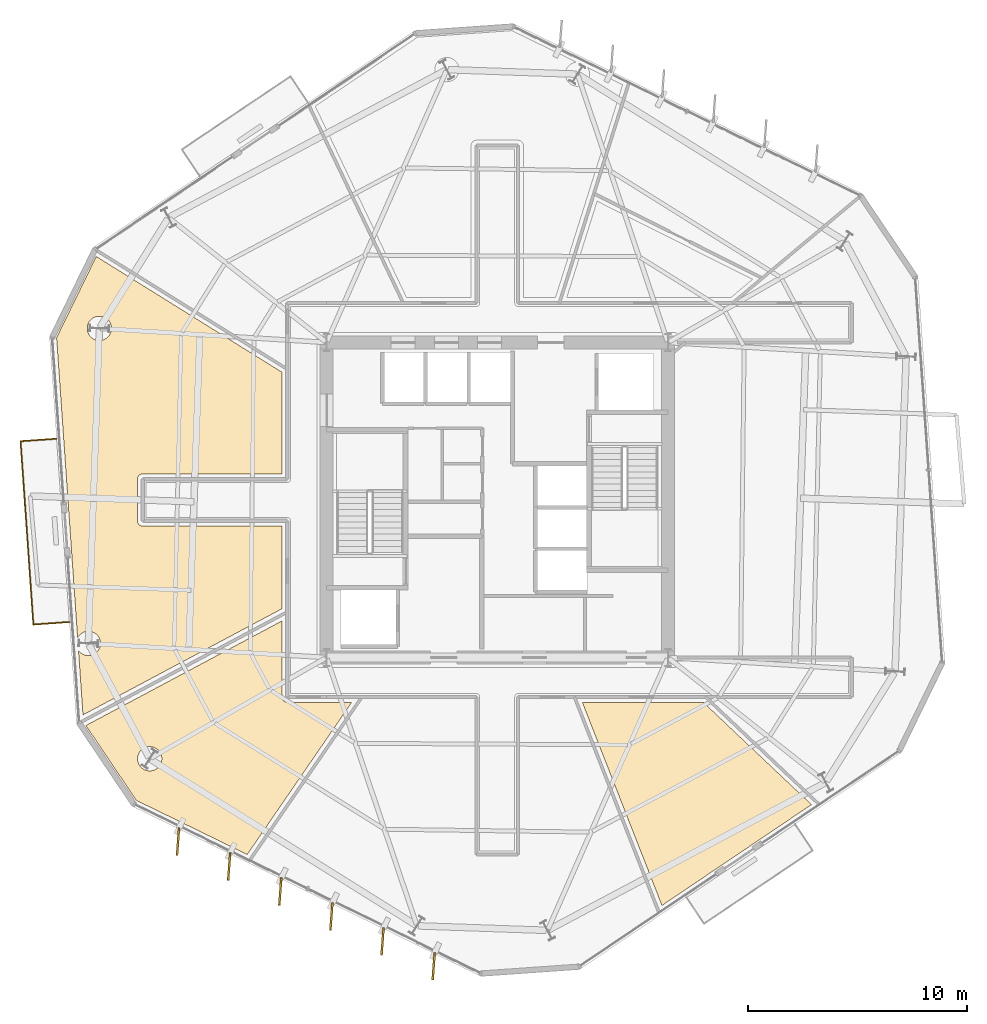
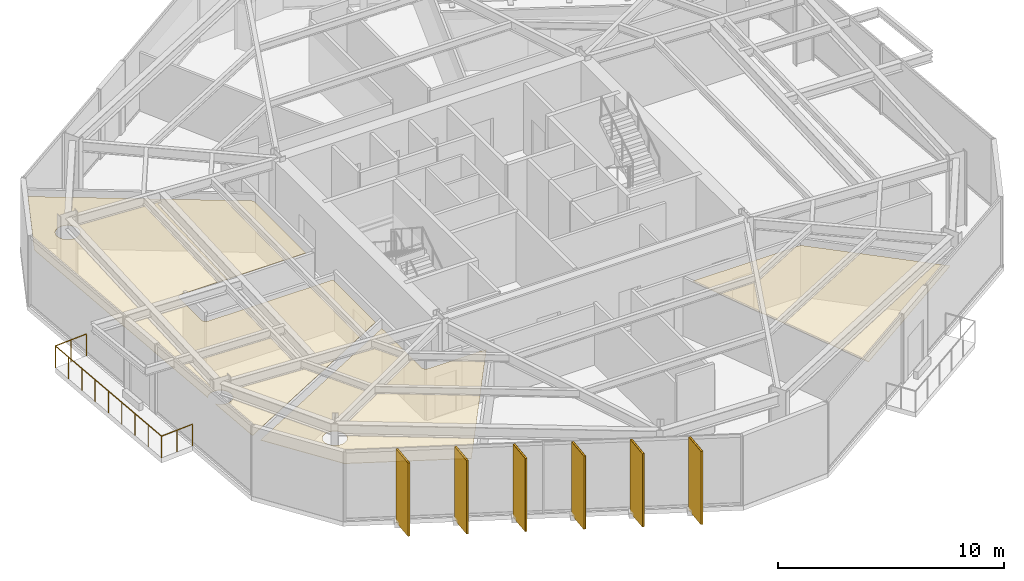
# One storey, part 10 of 14: 9 coverings, 6 shading devices, 1 railing.
"""IFC4 building model written with IfcOpenShell, lengths in metres."""

from ifc_helpers import new_model, si_unit, direction, frame, origin, origin_2d, place, context, subcontext, project, spatial, polyline, rectangle, circle, outline, extrude, material, layer, layer_set, type_object, element, save


model = new_model("IFC4")

# Units and contexts
model_context = context("Model", 3, precision=1e-05, world=origin(), true_north=direction((0.0, 1.0)))
body_context = subcontext(model_context, "Body", "Model", "MODEL_VIEW")
ifc_project = project(units=[si_unit("LENGTHUNIT", "METRE"), si_unit("AREAUNIT", "SQUARE_METRE"), si_unit("VOLUMEUNIT", "CUBIC_METRE"), si_unit("PLANEANGLEUNIT", "RADIAN"), si_unit("MASSUNIT", "GRAM", prefix="KILO")], contexts=[model_context])

# Site, building, storey
site_placement = place(None, origin())
site = spatial("IfcSite", under=ifc_project, at=site_placement, CompositionType="ELEMENT")
building_placement = place(site_placement, origin())
building = spatial("IfcBuilding", under=site, at=building_placement, Name="Kranzbogen Civic Tower", CompositionType="ELEMENT")
storey_placement = place(building_placement, frame((0.0, 0.0, 158.39990234375)))
storey = spatial("IfcBuildingStorey", under=building, at=storey_placement, Name="L38", CompositionType="ELEMENT", Elevation=158.39990234375)

# Coverings
ifc_material_1 = material(Name="Pale Anodised Aluminium", Category="aluminium")
ifc_layer_1 = layer(ifc_material_1, 0.02490234375, Name="Pale Anodised Aluminium")
ifc_layer_set_1 = layer_set([ifc_layer_1], Name="Pale Anodised Aluminium")
covering_type_1 = type_object("IfcCoveringType", Name="Anodised Aluminium Vertical Fin Cladding 25 mm", PredefinedType="CLADDING", material=ifc_layer_set_1)
for number, where, z_axis, x_axis, name in (
    (1, (10.408935546875, 9.385009765625, -0.139892578125), (0.0, 0.0, 1.0), (-0.074996130979, -0.997183824748, 0.0), "L38 vertical fin pale-metal cladding F4-1"),
    (2, (12.74609375, 8.2451171875, -0.139892578125), (0.0, 0.0, 1.0), (-0.074996130979, -0.997183824748, 0.0), "L38 vertical fin pale-metal cladding F4-2"),
    (3, (15.0830078125, 7.10595703125, -0.139892578125), (0.0, 0.0, 1.0), (-0.074996130979, -0.997183824748, 0.0), "L38 vertical fin pale-metal cladding F4-3"),
    (4, (17.419921875, 5.966064453125, -0.139892578125), (0.0, 0.0, 1.0), (-0.074996130979, -0.997183824748, 0.0), "L38 vertical fin pale-metal cladding F4-4"),
    (5, (19.757080078125, 4.825927734375, -0.139892578125), (0.0, 0.0, 1.0), (-0.074996130979, -0.997183824748, 0.0), "L38 vertical fin pale-metal cladding F4-5"),
    (6, (22.093994140625, 3.68603515625, -0.139892578125), (0.0, 0.0, 1.0), (-0.074996130979, -0.997183824748, 0.0), "L38 vertical fin pale-metal cladding F4-6"),
):
    element("IfcCovering", number, at=place(storey_placement, frame(where, z_axis=z_axis, x_axis=x_axis)), inside=storey, type_object=covering_type_1, Name=name, PredefinedType="CLADDING", context=body_context, shape_type="SweptSolid", body=[
        extrude(rectangle(XDim=1.25, YDim=0.10009765625, at=origin_2d()), origin(), (0.0, 0.0, 1.0), 3.9599609375),
    ])

# Shading devices
ifc_material_2 = material(Name="Anodised Bronze Aluminium", Category="aluminium")
shading_device_type = type_object("IfcShadingDeviceType", Name="Anodised Bronze Vertical Facade Fin 1250x80", PredefinedType="USERDEFINED", material=ifc_material_2)
for number, where, z_axis, x_axis, name in (
    (7, (10.408935546875, 9.385009765625, -0.139892578125), (0.0, 0.0, 1.0), (-0.074996130979, -0.997183824748, 0.0), "L38 vertical exterior shading fin F4-1"),
    (8, (12.74609375, 8.2451171875, -0.139892578125), (0.0, 0.0, 1.0), (-0.074996130979, -0.997183824748, 0.0), "L38 vertical exterior shading fin F4-2"),
    (9, (15.0830078125, 7.10595703125, -0.139892578125), (0.0, 0.0, 1.0), (-0.074996130979, -0.997183824748, 0.0), "L38 vertical exterior shading fin F4-3"),
    (10, (17.419921875, 5.966064453125, -0.139892578125), (0.0, 0.0, 1.0), (-0.074996130979, -0.997183824748, 0.0), "L38 vertical exterior shading fin F4-4"),
    (11, (19.757080078125, 4.825927734375, -0.139892578125), (0.0, 0.0, 1.0), (-0.074996130979, -0.997183824748, 0.0), "L38 vertical exterior shading fin F4-5"),
    (12, (22.093994140625, 3.68603515625, -0.139892578125), (0.0, 0.0, 1.0), (-0.074996130979, -0.997183824748, 0.0), "L38 vertical exterior shading fin F4-6"),
):
    element("IfcShadingDevice", number, at=place(storey_placement, frame(where, z_axis=z_axis, x_axis=x_axis)), inside=storey, type_object=shading_device_type, Name=name, ObjectType="FIN", PredefinedType="USERDEFINED", context=body_context, shape_type="SweptSolid", body=[
        extrude(rectangle(XDim=1.25, YDim=0.080078125, at=origin_2d()), origin(), (0.0, 0.0, 1.0), 3.9599609375),
    ])

# Railing
railing_type = type_object("IfcRailingType", Name="Cantilevered Balcony Glass and Bronze Balustrade 1200", PredefinedType="BALUSTRADE", material=ifc_material_2)
railing_placement = place(storey_placement, frame((4.85498046875, 27.802001953125, 0.0)))
element("IfcRailing", 13, at=railing_placement, inside=storey, type_object=railing_type, Name="L38 exterior terrace balustrade L38-ST", PredefinedType="BALUSTRADE", context=body_context, shape_type="SweptSolid", body=[
    extrude(circle(Radius=0.02392578125, at=origin_2d()), frame((0.0, 0.0, 1.17578125), z_axis=(-0.997568646052, -0.069690719711, 0.0), x_axis=(0.069690719711, -0.997568646052, 0.0)), (0.0, 0.0, 1.0), 1.64990234375),
    extrude(circle(Radius=0.02392578125, at=origin_2d()), frame((-1.64599609375, -0.114990234375, 1.17578125), z_axis=(0.069749595772, -0.997564531191, 0.0), x_axis=(0.997564531191, 0.069749595772, 0.0)), (0.0, 0.0, 1.0), 8.400634765625),
    extrude(circle(Radius=0.02392578125, at=origin_2d()), frame((-1.06005859375, -8.4951171875, 1.17578125), z_axis=(0.997558348693, 0.069837962116, 0.0), x_axis=(-0.069837962116, 0.997558348693, 0.0)), (0.0, 0.0, 1.0), 1.650146484375),
    extrude(circle(Radius=0.02099609375, at=origin_2d()), origin(), (0.0, 0.0, 1.0), 1.15185546875),
    extrude(circle(Radius=0.02099609375, at=origin_2d()), frame((-0.822998046875, -0.0576171875, 0.0)), (0.0, 0.0, 1.0), 1.15185546875),
    extrude(circle(Radius=0.02099609375, at=origin_2d()), frame((-1.64599609375, -0.114990234375, 0.0)), (0.0, 0.0, 1.0), 1.15185546875),
    extrude(circle(Radius=0.02099609375, at=origin_2d()), frame((-1.57275390625, -1.16259765625, 0.0)), (0.0, 0.0, 1.0), 1.15185546875),
    extrude(circle(Radius=0.02099609375, at=origin_2d()), frame((-1.49951171875, -2.2099609375, 0.0)), (0.0, 0.0, 1.0), 1.15185546875),
    extrude(circle(Radius=0.02099609375, at=origin_2d()), frame((-1.42626953125, -3.257568359375, 0.0)), (0.0, 0.0, 1.0), 1.15185546875),
    extrude(circle(Radius=0.02099609375, at=origin_2d()), frame((-1.35302734375, -4.30517578125, 0.0)), (0.0, 0.0, 1.0), 1.15185546875),
    extrude(circle(Radius=0.02099609375, at=origin_2d()), frame((-1.27978515625, -5.3525390625, 0.0)), (0.0, 0.0, 1.0), 1.15185546875),
    extrude(circle(Radius=0.02099609375, at=origin_2d()), frame((-1.20654296875, -6.400146484375, 0.0)), (0.0, 0.0, 1.0), 1.15185546875),
    extrude(circle(Radius=0.02099609375, at=origin_2d()), frame((-1.13330078125, -7.447509765625, 0.0)), (0.0, 0.0, 1.0), 1.15185546875),
    extrude(circle(Radius=0.02099609375, at=origin_2d()), frame((-1.06005859375, -8.4951171875, 0.0)), (0.0, 0.0, 1.0), 1.15185546875),
    extrude(circle(Radius=0.02099609375, at=origin_2d()), frame((-0.237060546875, -8.4375, 0.0)), (0.0, 0.0, 1.0), 1.15185546875),
    extrude(circle(Radius=0.02099609375, at=origin_2d()), frame((0.5859375, -8.3798828125, 0.0)), (0.0, 0.0, 1.0), 1.15185546875),
])

# Coverings
ifc_material_3 = material(Name="Perforated Acoustic Gypsum Ceiling")
ifc_layer_2 = layer(ifc_material_3, 0.02490234375, Name="Perforated Acoustic Gypsum Ceiling")
ifc_layer_set_2 = layer_set([ifc_layer_2], Name="Perforated Acoustic Gypsum Ceiling")
covering_type_2 = type_object("IfcCoveringType", Name="Perforated Acoustic Mineral Ceiling Tile 25 mm", PredefinedType="CEILING", material=ifc_layer_set_2)
covering_1_placement = place(storey_placement, frame((0.0, 0.0, 2.900146484375)))
element("IfcCovering", 14, at=covering_1_placement, inside=storey, type_object=covering_type_2, Name="L38 Executive Briefing Conference Room acoustic ceiling", PredefinedType="CEILING", context=body_context, shape_type="SweptSolid", body=[
    extrude(outline(polyline([(6.195068359375, 14.69189453125), (15.155029296875, 19.470947265625), (15.155029296875, 16.0), (15.155029296875, 15.990966796875), (15.156005859375, 15.985107421875), (15.156982421875, 15.967041015625), (15.157958984375, 15.9609375), (15.162109375, 15.944091796875), (15.1630859375, 15.93701171875), (15.16796875, 15.919921875), (15.169921875, 15.9140625), (15.177001953125, 15.89794921875), (15.179931640625, 15.89208984375), (15.18798828125, 15.876953125), (15.19189453125, 15.87109375), (15.200927734375, 15.85693359375), (15.205078125, 15.85205078125), (15.216064453125, 15.837890625), (15.220947265625, 15.8330078125), (15.23291015625, 15.821044921875), (15.238037109375, 15.81591796875), (15.251953125, 15.804931640625), (15.257080078125, 15.801025390625), (15.27099609375, 15.7919921875), (15.277099609375, 15.7880859375), (15.2919921875, 15.780029296875), (15.298095703125, 15.777099609375), (15.31396484375, 15.77001953125), (15.320068359375, 15.76806640625), (15.3369140625, 15.762939453125), (15.343994140625, 15.761962890625), (15.361083984375, 15.758056640625), (15.366943359375, 15.757080078125), (15.385009765625, 15.756103515625), (15.39111328125, 15.7548828125), (15.39990234375, 15.7548828125), (18.35205078125, 15.7548828125), (13.571044921875, 8.794921875), (8.506103515625, 11.26611328125), (6.195068359375, 14.69189453125)]), holes=[polyline([(9.6259765625, 12.958984375), (9.60302734375, 12.909912109375), (9.574951171875, 12.863037109375), (9.54296875, 12.819091796875), (9.506103515625, 12.779052734375), (9.466064453125, 12.741943359375), (9.422119140625, 12.7099609375), (9.375, 12.681884765625), (9.325927734375, 12.658935546875), (9.27490234375, 12.64111328125), (9.221923828125, 12.626953125), (9.16796875, 12.618896484375), (9.114013671875, 12.616943359375), (9.06005859375, 12.618896484375), (9.006103515625, 12.626953125), (8.952880859375, 12.64111328125), (8.902099609375, 12.658935546875), (8.85302734375, 12.681884765625), (8.805908203125, 12.7099609375), (8.761962890625, 12.741943359375), (8.721923828125, 12.779052734375), (8.68505859375, 12.819091796875), (8.653076171875, 12.863037109375), (8.625, 12.909912109375), (8.60205078125, 12.958984375), (8.583984375, 13.010009765625), (8.570068359375, 13.06298828125), (8.56201171875, 13.116943359375), (8.56005859375, 13.1708984375), (8.56201171875, 13.22509765625), (8.570068359375, 13.279052734375), (8.583984375, 13.33203125), (8.60205078125, 13.383056640625), (8.625, 13.431884765625), (8.653076171875, 13.47900390625), (8.68505859375, 13.52294921875), (8.721923828125, 13.56298828125), (8.761962890625, 13.60009765625), (8.805908203125, 13.632080078125), (8.85302734375, 13.659912109375), (8.902099609375, 13.68310546875), (8.952880859375, 13.700927734375), (9.006103515625, 13.715087890625), (9.06005859375, 13.722900390625), (9.114013671875, 13.72509765625), (9.16796875, 13.722900390625), (9.221923828125, 13.715087890625), (9.27490234375, 13.700927734375), (9.325927734375, 13.68310546875), (9.375, 13.659912109375), (9.422119140625, 13.632080078125), (9.466064453125, 13.60009765625), (9.506103515625, 13.56298828125), (9.54296875, 13.52294921875), (9.574951171875, 13.47900390625), (9.60302734375, 13.431884765625), (9.6259765625, 13.383056640625), (9.64404296875, 13.33203125), (9.657958984375, 13.279052734375), (9.666015625, 13.22509765625), (9.66796875, 13.1708984375), (9.666015625, 13.116943359375), (9.657958984375, 13.06298828125), (9.64404296875, 13.010009765625), (9.6259765625, 12.958984375)])]), origin(), (0.0, 0.0, 1.0), 0.02490234375),
])
covering_2_placement = place(storey_placement, frame((0.0, 0.0, 2.900146484375)))
element("IfcCovering", 15, at=covering_2_placement, inside=storey, type_object=covering_type_2, Name="L38 Policy Seminar Room acoustic ceiling", PredefinedType="CEILING", context=body_context, shape_type="SweptSolid", body=[
    extrude(outline(polyline([(28.887939453125, 15.7548828125), (34.4169921875, 15.7548828125), (39.363037109375, 11.075927734375), (32.529052734375, 6.466064453125), (28.887939453125, 15.7548828125)])), origin(), (0.0, 0.0, 1.0), 0.02490234375),
])
covering_3_placement = place(storey_placement, frame((0.0, 0.0, 2.900146484375)))
element("IfcCovering", 16, at=covering_3_placement, inside=storey, type_object=covering_type_2, Name="L38 Staff Tea Pantry acoustic ceiling", PredefinedType="CEILING", context=body_context, shape_type="SweptSolid", body=[
    extrude(outline(polyline([(6.669921875, 36.132080078125), (15.155029296875, 30.844970703125), (15.155029296875, 26.195068359375), (8.800048828125, 26.195068359375), (8.791015625, 26.195068359375), (8.784912109375, 26.194091796875), (8.76708984375, 26.193115234375), (8.760986328125, 26.19189453125), (8.743896484375, 26.18798828125), (8.737060546875, 26.18701171875), (8.719970703125, 26.181884765625), (8.714111328125, 26.179931640625), (8.697998046875, 26.173095703125), (8.69189453125, 26.169921875), (8.677001953125, 26.162109375), (8.6708984375, 26.157958984375), (8.656982421875, 26.14892578125), (8.652099609375, 26.14501953125), (8.637939453125, 26.134033203125), (8.633056640625, 26.12890625), (8.62109375, 26.116943359375), (8.615966796875, 26.112060546875), (8.60498046875, 26.097900390625), (8.60107421875, 26.093017578125), (8.592041015625, 26.0791015625), (8.587890625, 26.072998046875), (8.580078125, 26.05810546875), (8.576904296875, 26.052001953125), (8.570068359375, 26.035888671875), (8.568115234375, 26.030029296875), (8.56298828125, 26.012939453125), (8.56201171875, 26.006103515625), (8.55810546875, 25.989013671875), (8.556884765625, 25.98291015625), (8.555908203125, 25.965087890625), (8.554931640625, 25.958984375), (8.554931640625, 25.949951171875), (8.554931640625, 24.050048828125), (8.554931640625, 24.041015625), (8.555908203125, 24.034912109375), (8.556884765625, 24.01708984375), (8.55810546875, 24.010986328125), (8.56201171875, 23.993896484375), (8.56298828125, 23.987060546875), (8.568115234375, 23.969970703125), (8.570068359375, 23.964111328125), (8.576904296875, 23.947998046875), (8.580078125, 23.94189453125), (8.587890625, 23.927001953125), (8.592041015625, 23.9208984375), (8.60107421875, 23.906982421875), (8.60498046875, 23.902099609375), (8.615966796875, 23.887939453125), (8.62109375, 23.883056640625), (8.633056640625, 23.87109375), (8.637939453125, 23.865966796875), (8.652099609375, 23.85498046875), (8.656982421875, 23.85107421875), (8.6708984375, 23.842041015625), (8.677001953125, 23.837890625), (8.69189453125, 23.830078125), (8.697998046875, 23.826904296875), (8.714111328125, 23.820068359375), (8.719970703125, 23.818115234375), (8.737060546875, 23.81298828125), (8.743896484375, 23.81201171875), (8.760986328125, 23.80810546875), (8.76708984375, 23.806884765625), (8.784912109375, 23.805908203125), (8.791015625, 23.804931640625), (8.800048828125, 23.804931640625), (15.155029296875, 23.804931640625), (15.155029296875, 20.02587890625), (6.06396484375, 15.177001953125), (5.85791015625, 18.1240234375), (5.881103515625, 18.092041015625), (5.91796875, 18.052001953125), (5.9580078125, 18.014892578125), (6.001953125, 17.98291015625), (6.049072265625, 17.955078125), (6.097900390625, 17.931884765625), (6.14892578125, 17.9140625), (6.201904296875, 17.89990234375), (6.256103515625, 17.89208984375), (6.31005859375, 17.889892578125), (6.364013671875, 17.89208984375), (6.41796875, 17.89990234375), (6.470947265625, 17.9140625), (6.52197265625, 17.931884765625), (6.571044921875, 17.955078125), (6.617919921875, 17.98291015625), (6.662109375, 18.014892578125), (6.701904296875, 18.052001953125), (6.739013671875, 18.092041015625), (6.77099609375, 18.135986328125), (6.799072265625, 18.18310546875), (6.822021484375, 18.23193359375), (6.840087890625, 18.282958984375), (6.85400390625, 18.3359375), (6.862060546875, 18.389892578125), (6.864013671875, 18.444091796875), (6.862060546875, 18.498046875), (6.85400390625, 18.552001953125), (6.840087890625, 18.60498046875), (6.822021484375, 18.656005859375), (6.799072265625, 18.705078125), (6.77099609375, 18.751953125), (6.739013671875, 18.7958984375), (6.701904296875, 18.8359375), (6.662109375, 18.873046875), (6.617919921875, 18.905029296875), (6.571044921875, 18.93310546875), (6.52197265625, 18.9560546875), (6.470947265625, 18.97412109375), (6.41796875, 18.988037109375), (6.364013671875, 18.99609375), (6.31005859375, 18.998046875), (6.256103515625, 18.99609375), (6.201904296875, 18.988037109375), (6.14892578125, 18.97412109375), (6.097900390625, 18.9560546875), (6.049072265625, 18.93310546875), (6.001953125, 18.905029296875), (5.9580078125, 18.873046875), (5.91796875, 18.8359375), (5.881103515625, 18.7958984375), (5.84912109375, 18.751953125), (5.821044921875, 18.705078125), (5.818115234375, 18.698974609375), (4.85791015625, 32.4169921875), (6.669921875, 36.132080078125)]), holes=[polyline([(7.324951171875, 32.632080078125), (7.302001953125, 32.5830078125), (7.27392578125, 32.535888671875), (7.241943359375, 32.491943359375), (7.205078125, 32.451904296875), (7.1650390625, 32.4150390625), (7.12109375, 32.383056640625), (7.073974609375, 32.35498046875), (7.02490234375, 32.33203125), (6.97412109375, 32.31396484375), (6.9208984375, 32.300048828125), (6.866943359375, 32.2919921875), (6.81298828125, 32.2900390625), (6.759033203125, 32.2919921875), (6.705078125, 32.300048828125), (6.652099609375, 32.31396484375), (6.60107421875, 32.33203125), (6.552001953125, 32.35498046875), (6.5048828125, 32.383056640625), (6.4609375, 32.4150390625), (6.4208984375, 32.451904296875), (6.384033203125, 32.491943359375), (6.35205078125, 32.535888671875), (6.323974609375, 32.5830078125), (6.301025390625, 32.632080078125), (6.282958984375, 32.68310546875), (6.26904296875, 32.736083984375), (6.260986328125, 32.7900390625), (6.259033203125, 32.843994140625), (6.260986328125, 32.89794921875), (6.26904296875, 32.951904296875), (6.282958984375, 33.0048828125), (6.301025390625, 33.055908203125), (6.323974609375, 33.10498046875), (6.35205078125, 33.152099609375), (6.384033203125, 33.196044921875), (6.4208984375, 33.236083984375), (6.4609375, 33.27294921875), (6.5048828125, 33.304931640625), (6.552001953125, 33.3330078125), (6.60107421875, 33.35595703125), (6.652099609375, 33.3740234375), (6.705078125, 33.387939453125), (6.759033203125, 33.39599609375), (6.81298828125, 33.39794921875), (6.866943359375, 33.39599609375), (6.9208984375, 33.387939453125), (6.97412109375, 33.3740234375), (7.02490234375, 33.35595703125), (7.073974609375, 33.3330078125), (7.12109375, 33.304931640625), (7.1650390625, 33.27294921875), (7.205078125, 33.236083984375), (7.241943359375, 33.196044921875), (7.27392578125, 33.152099609375), (7.302001953125, 33.10498046875), (7.324951171875, 33.055908203125), (7.343017578125, 33.0048828125), (7.35693359375, 32.951904296875), (7.364990234375, 32.89794921875), (7.366943359375, 32.843994140625), (7.364990234375, 32.7900390625), (7.35693359375, 32.736083984375), (7.343017578125, 32.68310546875), (7.324951171875, 32.632080078125)])]), origin(), (0.0, 0.0, 1.0), 0.02490234375),
])

save(model, "model.ifc")
